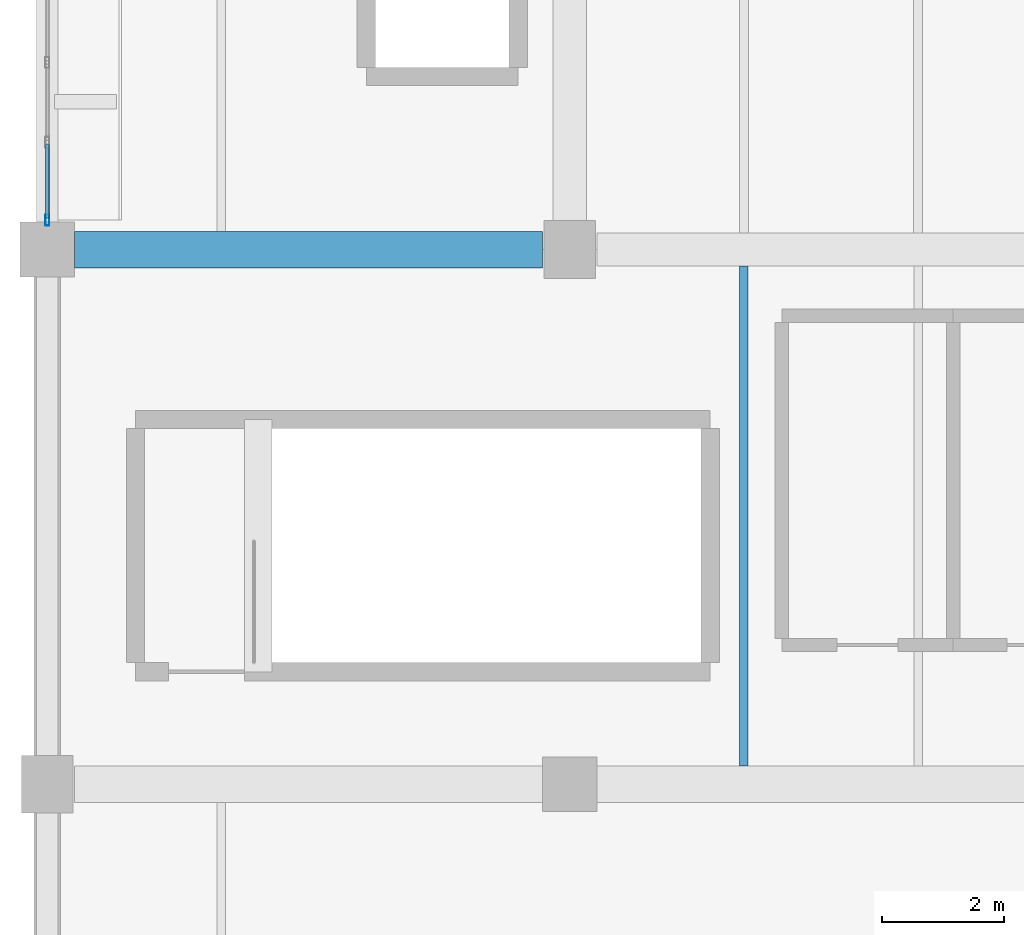
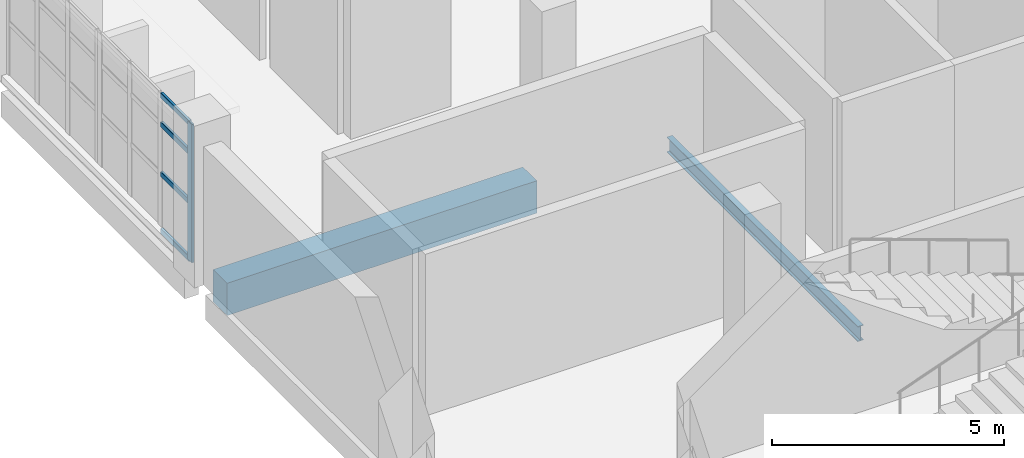
# One storey, part 13 of 76: 5 members, 2 beams, 1 element without a shape of its own.
"""IFC4 building model written with IfcOpenShell, lengths in metres."""

from ifc_helpers import new_model, si_unit, direction, frame, origin, origin_2d, place, context, subcontext, project, spatial, rectangle, hollow_rectangle, i_section, extrude, material, material_profile, profile_set, type_object, element, aggregate, save


model = new_model("IFC4")

# Units and contexts
model_context = context("Model", 3, precision=1e-05, world=origin(), true_north=direction((0.0, 1.0)))
body_context = subcontext(model_context, "Body", "Model", "MODEL_VIEW")
ifc_project = project(units=[si_unit("LENGTHUNIT", "METRE"), si_unit("AREAUNIT", "SQUARE_METRE"), si_unit("VOLUMEUNIT", "CUBIC_METRE"), si_unit("PLANEANGLEUNIT", "RADIAN"), si_unit("MASSUNIT", "GRAM", prefix="KILO")], contexts=[model_context])

# Site, building, storey
site_placement = place(None, origin())
site = spatial("IfcSite", under=ifc_project, at=site_placement, CompositionType="ELEMENT")
building_placement = place(site_placement, origin())
building = spatial("IfcBuilding", under=site, at=building_placement, Name="Varnakota Cinema and Media Centre", CompositionType="ELEMENT")
storey_placement = place(building_placement, origin())
storey = spatial("IfcBuildingStorey", under=building, at=storey_placement, Name="L00", CompositionType="ELEMENT", Elevation=0.0)

# Beams
ifc_material_1 = material(Name="Concrete M35", Category="concrete")
ifc_material_profile_1 = material_profile(ifc_material_1, rectangle(XDim=0.60009765625, YDim=0.85009765625, at=origin_2d()), Name="RCB 600x850")
ifc_profile_set_1 = profile_set([ifc_material_profile_1], Name="Concrete M35")
beam_type_1 = type_object("IfcBeamType", Name="BM-RC-600x850", PredefinedType="BEAM", material=ifc_profile_set_1)
beam_1_placement = place(storey_placement, frame((0.449951171875, 35.199951171875, -0.705078125), z_axis=(1.0, 0.0, 0.0), x_axis=(0.0, 1.0, 0.0)))
element("IfcBeam", 1, at=beam_1_placement, inside=storey, type_object=beam_type_1, Name="L00 girder A-B/5", PredefinedType="BEAM", context=body_context, shape_type="SweptSolid", body=[
    extrude(rectangle(XDim=0.60009765625, YDim=0.85009765625, at=origin_2d()), origin(), (0.0, 0.0, 1.0), 7.699951171875),
])
ifc_material_2 = material(Name="Structural steel Grade 350 (E350)", Category="steel")
ifc_material_profile_2 = material_profile(ifc_material_2, i_section(OverallWidth=0.139892578125, OverallDepth=0.39990234375, WebThickness=0.0087890625, FlangeThickness=0.01611328125, FilletRadius=0.013916015625, at=origin_2d()), Name="ISMB 400")
ifc_profile_set_2 = profile_set([ifc_material_profile_2], Name="Structural steel Grade 350 (E350)")
beam_type_2 = type_object("IfcBeamType", Name="BM-ST-ISMB400", PredefinedType="JOIST", material=ifc_profile_set_2)
beam_2_placement = place(storey_placement, frame((11.466796875, 26.699951171875, -0.47998046875), z_axis=(0.0, 1.0, 0.0), x_axis=(-1.0, 0.0, 0.0)))
element("IfcBeam", 2, at=beam_2_placement, inside=storey, type_object=beam_type_2, Name="L00 steel joist B-C/4-5 #1", PredefinedType="JOIST", context=body_context, shape_type="SweptSolid", body=[
    extrude(i_section(OverallWidth=0.139892578125, OverallDepth=0.39990234375, WebThickness=0.0087890625, FlangeThickness=0.01611328125, FilletRadius=0.013916015625, at=origin_2d()), origin(), (0.0, 0.0, 1.0), 8.22509765625),
])

# Curtain wall, members
ifc_material_3 = material(Name="Thermally broken anodised aluminium AW-6063", Category="aluminium")
curtain_wall_type = type_object("IfcCurtainWallType", Name="CW-STD-394x364", PredefinedType="USERDEFINED", material=ifc_material_3)
curtain_wall_placement = place(storey_placement, origin())
curtain_wall = element("IfcCurtainWall", 3, at=curtain_wall_placement, inside=storey, type_object=curtain_wall_type, Name="L00 curtain wall CW-L00-V5-W-S-02-2", ObjectType="UNITISED CURTAIN WALL", PredefinedType="USERDEFINED")
ifc_material_4 = material(Name="Thermally broken anodised aluminium AW-6063", Category="aluminium")
ifc_material_profile_3 = material_profile(ifc_material_4, hollow_rectangle(XDim=0.06494140625, YDim=0.179931640625, WallThickness=0.00390625, InnerFilletRadius=0.00390625, OuterFilletRadius=0.008056640625, at=origin_2d()), Name="AL-MULLION 180x65x4")
ifc_profile_set_3 = profile_set([ifc_material_profile_3], Name="Thermally broken anodised aluminium AW-6063")
member_type_1 = type_object("IfcMemberType", Name="CWM-AL-180", PredefinedType="MULLION", material=ifc_profile_set_3)
member_1_placement = place(storey_placement, frame((0.0, 35.6826171875, 0.0), z_axis=(0.0, 0.0, 1.0), x_axis=(1.0, 0.0, 0.0)))
member_1 = element("IfcMember", 4, at=member_1_placement, type_object=member_type_1, Name="CW16 mullion 4", PredefinedType="MULLION", context=body_context, shape_type="SweptSolid", body=[
    extrude(hollow_rectangle(XDim=0.06494140625, YDim=0.179931640625, WallThickness=0.00390625, InnerFilletRadius=0.00390625, OuterFilletRadius=0.008056640625, at=origin_2d()), origin(), (0.0, 0.0, 1.0), 3.635009765625),
])
ifc_material_5 = material(Name="Thermally broken anodised aluminium AW-6063", Category="aluminium")
ifc_material_profile_4 = material_profile(ifc_material_5, hollow_rectangle(XDim=0.06494140625, YDim=0.139892578125, WallThickness=0.00390625, InnerFilletRadius=0.00390625, OuterFilletRadius=0.008056640625, at=origin_2d()), Name="AL-TRANSOM 140x65x4")
ifc_profile_set_4 = profile_set([ifc_material_profile_4], Name="Thermally broken anodised aluminium AW-6063")
member_type_2 = type_object("IfcMemberType", Name="CWT-AL-140", PredefinedType="USERDEFINED", material=ifc_profile_set_4)
member_2_placement = place(storey_placement, frame((0.0, 36.931640625, 0.032470703125), z_axis=(0.0, -1.0, 0.0), x_axis=(1.0, 0.0, 0.0)))
member_2 = element("IfcMember", 5, at=member_2_placement, type_object=member_type_2, Name="CW16 transom 3.1", ObjectType="TRANSOM", PredefinedType="USERDEFINED", context=body_context, shape_type="SweptSolid", body=[
    extrude(hollow_rectangle(XDim=0.06494140625, YDim=0.139892578125, WallThickness=0.00390625, InnerFilletRadius=0.00390625, OuterFilletRadius=0.008056640625, at=origin_2d()), origin(), (0.0, 0.0, 1.0), 1.216552734375),
])
member_3_placement = place(storey_placement, frame((0.0, 36.931640625, 1.526611328125), z_axis=(0.0, -1.0, 0.0), x_axis=(1.0, 0.0, 0.0)))
member_3 = element("IfcMember", 6, at=member_3_placement, type_object=member_type_2, Name="CW16 transom 3.2", ObjectType="TRANSOM", PredefinedType="USERDEFINED", context=body_context, shape_type="SweptSolid", body=[
    extrude(hollow_rectangle(XDim=0.06494140625, YDim=0.139892578125, WallThickness=0.00390625, InnerFilletRadius=0.00390625, OuterFilletRadius=0.008056640625, at=origin_2d()), origin(), (0.0, 0.0, 1.0), 1.216552734375),
])
member_4_placement = place(storey_placement, frame((0.0, 36.931640625, 2.835205078125), z_axis=(0.0, -1.0, 0.0), x_axis=(1.0, 0.0, 0.0)))
member_4 = element("IfcMember", 7, at=member_4_placement, type_object=member_type_2, Name="CW16 transom 3.3", ObjectType="TRANSOM", PredefinedType="USERDEFINED", context=body_context, shape_type="SweptSolid", body=[
    extrude(hollow_rectangle(XDim=0.06494140625, YDim=0.139892578125, WallThickness=0.00390625, InnerFilletRadius=0.00390625, OuterFilletRadius=0.008056640625, at=origin_2d()), origin(), (0.0, 0.0, 1.0), 1.216552734375),
])
member_5_placement = place(storey_placement, frame((0.0, 36.931640625, 3.6025390625), z_axis=(0.0, -1.0, 0.0), x_axis=(1.0, 0.0, 0.0)))
member_5 = element("IfcMember", 8, at=member_5_placement, type_object=member_type_2, Name="CW16 transom 3.4", ObjectType="TRANSOM", PredefinedType="USERDEFINED", context=body_context, shape_type="SweptSolid", body=[
    extrude(hollow_rectangle(XDim=0.06494140625, YDim=0.139892578125, WallThickness=0.00390625, InnerFilletRadius=0.00390625, OuterFilletRadius=0.008056640625, at=origin_2d()), origin(), (0.0, 0.0, 1.0), 1.216552734375),
])
aggregate(curtain_wall, [member_1, member_2, member_3, member_4, member_5])

save(model, "model.ifc")
